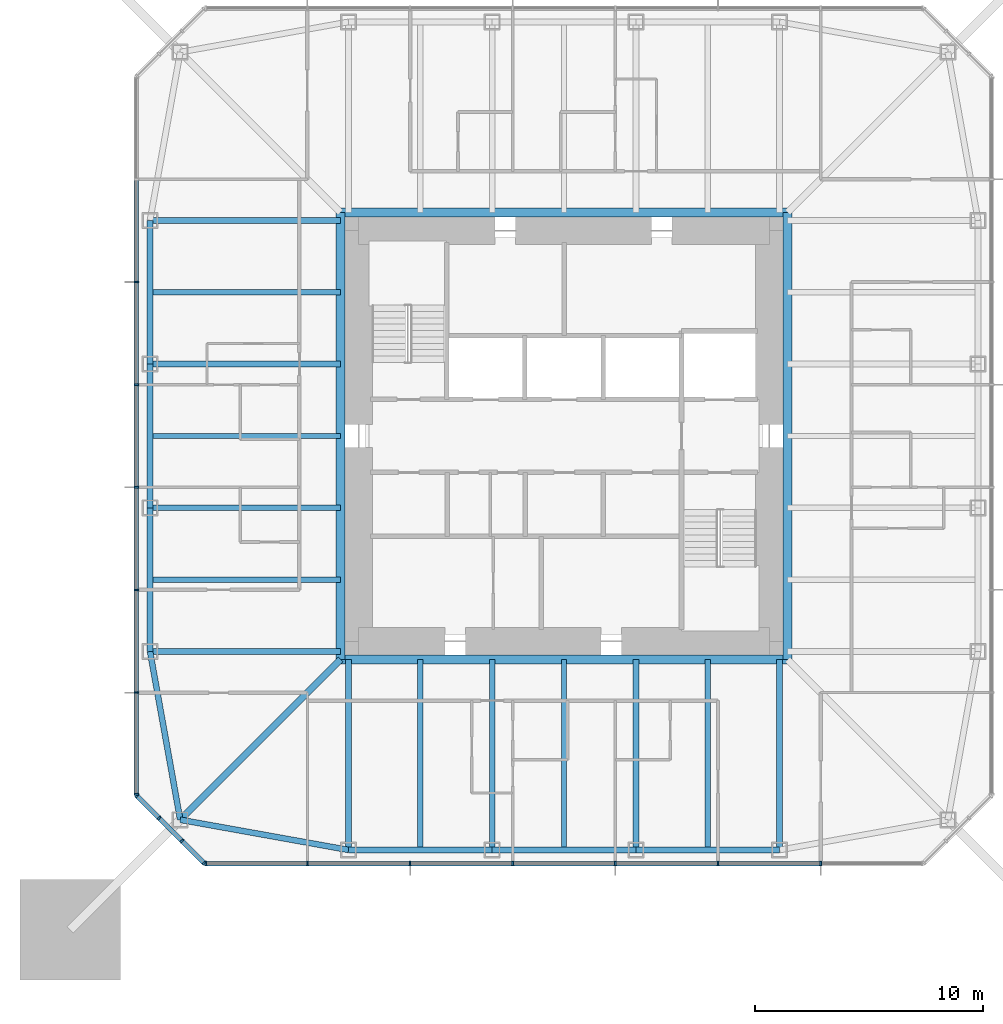
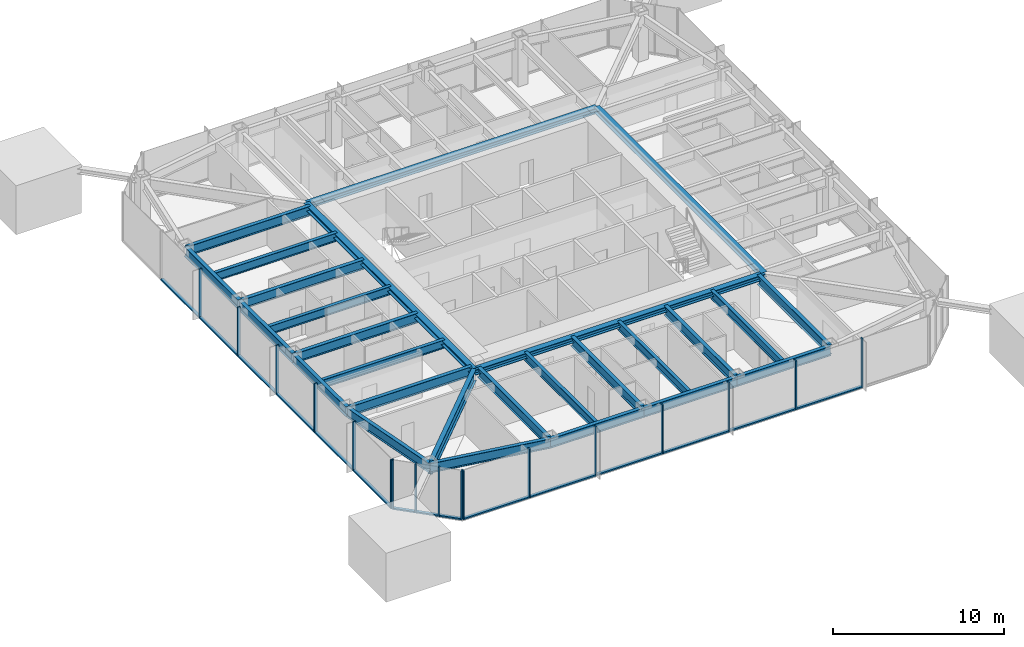
# One storey, part 2 of 11: 32 members, 27 beams, 3 elements without a shape of their own.
"""IFC4 building model written with IfcOpenShell, lengths in metres."""

import ifcopenshell
import ifcopenshell.guid

model = None  # the IFC model being written
_history = None  # IfcOwnerHistory: only IFC2X3 demands one
_inside = {}  # id of a spatial element -> (the spatial element, [elements in it])
_under = {}  # id of a project, library or spatial element -> (it, [spatial elements below it])
_declared = {}  # id of a project -> (the project, [libraries it declares])
_typed = {}  # id of a type object -> (the type object, [elements of that type])
_made_of = {}  # id of a material, layer set ... -> (it, [elements and type objects made of it])


def new_model(schema):
    """Start an empty IFC model of exactly this schema.

    Asked for "IFC4X3", IfcOpenShell would pick the latest addendum, in which some entities
    have other attributes; the version numbers below select the first issue.
    IFC2X3 requires an IfcOwnerHistory on every rooted entity: one is made here for all.
    """
    global model, _history
    if schema == "IFC4X3":
        model = ifcopenshell.file(schema_version=(4, 3, 0, 0))
    else:
        model = ifcopenshell.file(schema=schema)
    _inside.clear()
    _under.clear()
    _declared.clear()
    _typed.clear()
    _made_of.clear()
    _history = None
    if model.schema == "IFC2X3":
        org = make("IfcOrganization", Name="unknown")
        user = make(
            "IfcPersonAndOrganization",
            ThePerson=make("IfcPerson", FamilyName="unknown"),
            TheOrganization=org,
        )
        app = make(
            "IfcApplication",
            ApplicationDeveloper=org,
            Version="unknown",
            ApplicationFullName="unknown",
            ApplicationIdentifier="unknown",
        )
        _history = make(
            "IfcOwnerHistory",
            OwningUser=user,
            OwningApplication=app,
            ChangeAction="ADDED",
            CreationDate=0,
        )
    return model


def make(cls, **values):
    """One entity of the class cls with the attributes given. An attribute that is None is left unset."""
    return model.create_entity(
        cls, **{name: value for name, value in values.items() if value is not None}
    )


def rooted(cls, **values):
    """An entity with a GlobalId (a new one), such as an element, a storey or a relation."""
    return make(cls, GlobalId=ifcopenshell.guid.new(), OwnerHistory=_history, **values)


def si_unit(unit_type, name, prefix=None):
    """IfcSIUnit, for example si_unit("LENGTHUNIT", "METRE", prefix="MILLI")."""
    return make("IfcSIUnit", UnitType=unit_type, Prefix=prefix, Name=name)


def assignment(units):
    """IfcUnitAssignment: the units of a project."""
    return None if units is None else make("IfcUnitAssignment", Units=units)


def point(xyz):
    """IfcCartesianPoint."""
    return None if xyz is None else make("IfcCartesianPoint", Coordinates=xyz)


def direction(xyz):
    """IfcDirection."""
    return None if xyz is None else make("IfcDirection", DirectionRatios=xyz)


def frame(location, z_axis=None, x_axis=None):
    """IfcAxis2Placement3D, a coordinate frame: its origin and axes. An axis left out is left unset."""
    return make(
        "IfcAxis2Placement3D",
        Location=point(location),
        Axis=direction(z_axis),
        RefDirection=direction(x_axis),
    )


def frame_2d(location, x_axis=None):
    """IfcAxis2Placement2D, a coordinate frame in the plane: its origin and x axis."""
    return make(
        "IfcAxis2Placement2D", Location=point(location), RefDirection=direction(x_axis)
    )


def origin():
    """The frame at (0, 0, 0) with its axes left unset."""
    return frame((0.0, 0.0, 0.0))


def origin_2d():
    """The frame at (0, 0) in the plane with its x axis left unset."""
    return frame_2d((0.0, 0.0))


def place(relative_to, where):
    """IfcLocalPlacement: puts the frame where relative to a parent placement (None: the world)."""
    return make(
        "IfcLocalPlacement", PlacementRelTo=relative_to, RelativePlacement=where
    )


def context(
    kind, dimensions, precision=None, world=None, true_north=None, identifier=None
):
    """IfcGeometricRepresentationContext, for example the 3D "Model" context."""
    return make(
        "IfcGeometricRepresentationContext",
        ContextIdentifier=identifier,
        ContextType=kind,
        CoordinateSpaceDimension=dimensions,
        Precision=precision,
        WorldCoordinateSystem=world,
        TrueNorth=true_north,
    )


def subcontext(parent, identifier, kind, view, scale=None):
    """IfcGeometricRepresentationSubContext, for example "Body" below "Model"."""
    return make(
        "IfcGeometricRepresentationSubContext",
        ContextIdentifier=identifier,
        ContextType=kind,
        ParentContext=parent,
        TargetScale=scale,
        TargetView=view,
    )


def project(units=None, contexts=None):
    """IfcProject with its units and contexts."""
    return rooted(
        "IfcProject",
        Name="project",
        RepresentationContexts=contexts,
        UnitsInContext=assignment(units),
    )


def spatial(cls, under=None, at=None, **own):
    """A site, building, storey or space (cls), placed at a placement, below another one or the project."""
    s = rooted(cls, ObjectPlacement=at, **own)
    if under is not None:
        _under.setdefault(under.id(), (under, []))[1].append(s)
    return s


def profile(cls, at=None, kind="AREA", **sizes):
    """A parametric profile (cls). Its sizes go by their IFC names, for example OverallWidth=200.0."""
    return make(cls, ProfileType=kind, Position=at, **sizes)


def rectangle(**sizes):
    """IfcRectangleProfileDef."""
    return profile("IfcRectangleProfileDef", **sizes)


def i_section(**sizes):
    """IfcIShapeProfileDef."""
    return profile("IfcIShapeProfileDef", **sizes)


def extrude(swept, where, along, depth):
    """IfcExtrudedAreaSolid: the profile swept, set in the frame where, extruded along a direction by depth."""
    return make(
        "IfcExtrudedAreaSolid",
        SweptArea=swept,
        Position=where,
        ExtrudedDirection=direction(along),
        Depth=depth,
    )


def shape(context_of_items, identifier, shape_type, items):
    """IfcShapeRepresentation: the items that make up one representation, for example the "Body"."""
    return make(
        "IfcShapeRepresentation",
        ContextOfItems=context_of_items,
        RepresentationIdentifier=identifier,
        RepresentationType=shape_type,
        Items=items,
    )


def material(Name=None, Category=None):
    """IfcMaterial."""
    return make("IfcMaterial", Name=Name, Category=Category)


def material_profile(
    of_material, cross_section, Name=None, Category=None, Priority=None
):
    """IfcMaterialProfile: a cross section and its material."""
    return make(
        "IfcMaterialProfile",
        Name=Name,
        Material=of_material,
        Profile=cross_section,
        Priority=Priority,
        Category=Category,
    )


def profile_set(profiles, Name=None, composite=None):
    """IfcMaterialProfileSet."""
    return make(
        "IfcMaterialProfileSet",
        Name=Name,
        MaterialProfiles=profiles,
        CompositeProfile=composite,
    )


def made_of(thing, what):
    """Note that an element or type object is made of a material, layer set ...; save() writes the relation."""
    if what is not None:
        _made_of.setdefault(what.id(), (what, []))[1].append(thing)
    return thing


def type_object(cls, material=None, **own):
    """A type object (cls), such as IfcWallType, which elements share."""
    return made_of(rooted(cls, **own), material)


def element(
    cls,
    number,
    at=None,
    inside=None,
    cuts=None,
    type_object=None,
    material=None,
    context=None,
    identifier="Body",
    shape_type=None,
    held_by="IfcProductDefinitionShape",
    body=None,
    shapes=None,
    **own,
):
    """One element of the class cls, such as IfcWall. Its Tag is "e" and its number.

    at: its placement. inside: the storey or other place that contains it. cuts: it is an
    opening in that element (IfcRelVoidsElement). A single representation is given by context,
    identifier, shape_type and body (its items); several are given by shapes. held_by: the class
    of the entity that holds the representations. save() writes the other relations.
    """
    e = rooted(cls, Tag="e%d" % number, ObjectPlacement=at, **own)
    if body is not None:
        shapes = [shape(context, identifier, shape_type, body)]
    if shapes is not None:
        e.Representation = make(held_by, Representations=shapes)
    if inside is not None:
        _inside.setdefault(inside.id(), (inside, []))[1].append(e)
    if cuts is not None:
        rooted(
            "IfcRelVoidsElement", RelatingBuildingElement=cuts, RelatedOpeningElement=e
        )
    if type_object is not None:
        _typed.setdefault(type_object.id(), (type_object, []))[1].append(e)
    return made_of(e, material)


def aggregate(whole, parts):
    """IfcRelAggregates: a whole, such as a stair, and the parts it consists of."""
    return rooted("IfcRelAggregates", RelatingObject=whole, RelatedObjects=parts)


def save(model, path):
    """Write the relations noted so far, then the file.

    IfcRelAggregates (storeys below a building ...), IfcRelContainedInSpatialStructure (elements
    in a storey), IfcRelDefinesByType, IfcRelAssociatesMaterial and IfcRelDeclares: one each for
    every whole, place, type object, material and project.
    """
    for whole, parts in _under.values():
        aggregate(whole, parts)
    for where, things in _inside.values():
        rooted(
            "IfcRelContainedInSpatialStructure",
            RelatedElements=things,
            RelatingStructure=where,
        )
    for kind, things in _typed.values():
        rooted("IfcRelDefinesByType", RelatedObjects=things, RelatingType=kind)
    for what, things in _made_of.values():
        rooted("IfcRelAssociatesMaterial", RelatedObjects=things, RelatingMaterial=what)
    for by, libraries in _declared.values():
        rooted("IfcRelDeclares", RelatingContext=by, RelatedDefinitions=libraries)
    model.write(path)


model = new_model("IFC4")

# Units and contexts
model_context = context("Model", 3, precision=1e-05, world=origin(), true_north=direction((0.0, 1.0)))
body_context = subcontext(model_context, "Body", "Model", "MODEL_VIEW")
ifc_project = project(units=[si_unit("LENGTHUNIT", "METRE"), si_unit("AREAUNIT", "SQUARE_METRE"), si_unit("VOLUMEUNIT", "CUBIC_METRE"), si_unit("PLANEANGLEUNIT", "RADIAN"), si_unit("MASSUNIT", "GRAM", prefix="KILO")], contexts=[model_context])

# Site, building, storey
site_placement = place(None, origin())
site = spatial("IfcSite", under=ifc_project, at=site_placement, CompositionType="ELEMENT")
building_placement = place(site_placement, origin())
building = spatial("IfcBuilding", under=site, at=building_placement, Name="Iwan Alto Co-Living Towers", CompositionType="ELEMENT")
storey_placement = place(building_placement, frame((0.0, 0.0, 163.5)))
storey = spatial("IfcBuildingStorey", under=building, at=storey_placement, Name="L44", CompositionType="ELEMENT", Elevation=163.5)

# Curtain wall, members
ifc_material_1 = material(Name="Bronze aluminium unitised frame", Category="aluminium")
curtain_wall_type_1 = type_object("IfcCurtainWallType", Name="CURTAIN WALL CW-A", PredefinedType="NOTDEFINED", material=ifc_material_1)
curtain_wall_1_placement = place(storey_placement, origin())
curtain_wall_1 = element("IfcCurtainWall", 1, at=curtain_wall_1_placement, inside=storey, type_object=curtain_wall_type_1, Name="T1 curtain wall S L44", PredefinedType="NOTDEFINED")
ifc_material_2 = material(Name="Aluminium 6063-T6 bronze anodised", Category="aluminium")
ifc_material_profile_1 = material_profile(ifc_material_2, rectangle(XDim=0.199951171875, YDim=0.080078125, at=origin_2d()), Name="AL 80X200")
ifc_profile_set_1 = profile_set([ifc_material_profile_1], Name="Aluminium 6063-T6 bronze anodised")
member_type_1 = type_object("IfcMemberType", Name="CW-A MULLION 80X200", PredefinedType="MULLION", material=ifc_profile_set_1)
member_1_placement = place(storey_placement, frame((-15.7099609375, -18.75, 0.0), z_axis=(0.0, 0.0, 1.0), x_axis=(0.0, 1.0, 0.0)))
member_1 = element("IfcMember", 2, at=member_1_placement, type_object=member_type_1, Name="CW-A mullion 1", PredefinedType="MULLION", context=body_context, shape_type="SweptSolid", body=[
    extrude(rectangle(XDim=0.199951171875, YDim=0.080078125, at=origin_2d()), origin(), (0.0, 0.0, 1.0), 3.5),
])
member_2_placement = place(storey_placement, frame((-11.25, -18.75, 0.0), z_axis=(0.0, 0.0, 1.0), x_axis=(0.0, 1.0, 0.0)))
member_2 = element("IfcMember", 3, at=member_2_placement, type_object=member_type_1, Name="CW-A mullion 2", PredefinedType="MULLION", context=body_context, shape_type="SweptSolid", body=[
    extrude(rectangle(XDim=0.199951171875, YDim=0.080078125, at=origin_2d()), origin(), (0.0, 0.0, 1.0), 3.5),
])
member_3_placement = place(storey_placement, frame((-6.75, -18.75, 0.0), z_axis=(0.0, 0.0, 1.0), x_axis=(0.0, 1.0, 0.0)))
member_3 = element("IfcMember", 4, at=member_3_placement, type_object=member_type_1, Name="CW-A mullion 3", PredefinedType="MULLION", context=body_context, shape_type="SweptSolid", body=[
    extrude(rectangle(XDim=0.199951171875, YDim=0.080078125, at=origin_2d()), origin(), (0.0, 0.0, 1.0), 3.5),
])
member_4_placement = place(storey_placement, frame((-2.25, -18.75, 0.0), z_axis=(0.0, 0.0, 1.0), x_axis=(0.0, 1.0, 0.0)))
member_4 = element("IfcMember", 5, at=member_4_placement, type_object=member_type_1, Name="CW-A mullion 4", PredefinedType="MULLION", context=body_context, shape_type="SweptSolid", body=[
    extrude(rectangle(XDim=0.199951171875, YDim=0.080078125, at=origin_2d()), origin(), (0.0, 0.0, 1.0), 3.5),
])
member_5_placement = place(storey_placement, frame((2.25, -18.75, 0.0), z_axis=(0.0, 0.0, 1.0), x_axis=(0.0, 1.0, 0.0)))
member_5 = element("IfcMember", 6, at=member_5_placement, type_object=member_type_1, Name="CW-A mullion 5", PredefinedType="MULLION", context=body_context, shape_type="SweptSolid", body=[
    extrude(rectangle(XDim=0.199951171875, YDim=0.080078125, at=origin_2d()), origin(), (0.0, 0.0, 1.0), 3.5),
])
member_6_placement = place(storey_placement, frame((6.75, -18.75, 0.0), z_axis=(0.0, 0.0, 1.0), x_axis=(0.0, 1.0, 0.0)))
member_6 = element("IfcMember", 7, at=member_6_placement, type_object=member_type_1, Name="CW-A mullion 6", PredefinedType="MULLION", context=body_context, shape_type="SweptSolid", body=[
    extrude(rectangle(XDim=0.199951171875, YDim=0.080078125, at=origin_2d()), origin(), (0.0, 0.0, 1.0), 3.5),
])
member_7_placement = place(storey_placement, frame((11.25, -18.75, 0.0), z_axis=(0.0, 0.0, 1.0), x_axis=(0.0, 1.0, 0.0)))
member_7 = element("IfcMember", 8, at=member_7_placement, type_object=member_type_1, Name="CW-A mullion 7", PredefinedType="MULLION", context=body_context, shape_type="SweptSolid", body=[
    extrude(rectangle(XDim=0.199951171875, YDim=0.080078125, at=origin_2d()), origin(), (0.0, 0.0, 1.0), 3.5),
])

curtain_wall_2_placement = place(storey_placement, origin())
curtain_wall_2 = element("IfcCurtainWall", 9, at=curtain_wall_2_placement, inside=storey, type_object=curtain_wall_type_1, Name="T1 curtain wall W L44", PredefinedType="NOTDEFINED")
member_8_placement = place(storey_placement, frame((-18.75, 6.75, 0.0), z_axis=(0.0, 0.0, 1.0), x_axis=(1.0, 0.0, 0.0)))
member_8 = element("IfcMember", 10, at=member_8_placement, type_object=member_type_1, Name="CW-A mullion 3", PredefinedType="MULLION", context=body_context, shape_type="SweptSolid", body=[
    extrude(rectangle(XDim=0.199951171875, YDim=0.080078125, at=origin_2d()), origin(), (0.0, 0.0, 1.0), 3.5),
])
member_9_placement = place(storey_placement, frame((-18.75, 2.25, 0.0), z_axis=(0.0, 0.0, 1.0), x_axis=(1.0, 0.0, 0.0)))
member_9 = element("IfcMember", 11, at=member_9_placement, type_object=member_type_1, Name="CW-A mullion 4", PredefinedType="MULLION", context=body_context, shape_type="SweptSolid", body=[
    extrude(rectangle(XDim=0.199951171875, YDim=0.080078125, at=origin_2d()), origin(), (0.0, 0.0, 1.0), 3.5),
])
member_10_placement = place(storey_placement, frame((-18.75, -2.25, 0.0), z_axis=(0.0, 0.0, 1.0), x_axis=(1.0, 0.0, 0.0)))
member_10 = element("IfcMember", 12, at=member_10_placement, type_object=member_type_1, Name="CW-A mullion 5", PredefinedType="MULLION", context=body_context, shape_type="SweptSolid", body=[
    extrude(rectangle(XDim=0.199951171875, YDim=0.080078125, at=origin_2d()), origin(), (0.0, 0.0, 1.0), 3.5),
])
member_11_placement = place(storey_placement, frame((-18.75, -6.75, 0.0), z_axis=(0.0, 0.0, 1.0), x_axis=(1.0, 0.0, 0.0)))
member_11 = element("IfcMember", 13, at=member_11_placement, type_object=member_type_1, Name="CW-A mullion 6", PredefinedType="MULLION", context=body_context, shape_type="SweptSolid", body=[
    extrude(rectangle(XDim=0.199951171875, YDim=0.080078125, at=origin_2d()), origin(), (0.0, 0.0, 1.0), 3.5),
])
member_12_placement = place(storey_placement, frame((-18.75, -11.25, 0.0), z_axis=(0.0, 0.0, 1.0), x_axis=(1.0, 0.0, 0.0)))
member_12 = element("IfcMember", 14, at=member_12_placement, type_object=member_type_1, Name="CW-A mullion 7", PredefinedType="MULLION", context=body_context, shape_type="SweptSolid", body=[
    extrude(rectangle(XDim=0.199951171875, YDim=0.080078125, at=origin_2d()), origin(), (0.0, 0.0, 1.0), 3.5),
])
member_13_placement = place(storey_placement, frame((-18.75, -15.7099609375, 0.0), z_axis=(0.0, 0.0, 1.0), x_axis=(1.0, 0.0, 0.0)))
member_13 = element("IfcMember", 15, at=member_13_placement, type_object=member_type_1, Name="CW-A mullion 8", PredefinedType="MULLION", context=body_context, shape_type="SweptSolid", body=[
    extrude(rectangle(XDim=0.199951171875, YDim=0.080078125, at=origin_2d()), origin(), (0.0, 0.0, 1.0), 3.5),
])

# Member
ifc_material_3 = material(Name="Aluminium 6063-T6 bronze anodised", Category="aluminium")
ifc_material_profile_2 = material_profile(ifc_material_3, rectangle(XDim=0.199951171875, YDim=0.10009765625, at=origin_2d()), Name="AL 200X100")
ifc_profile_set_2 = profile_set([ifc_material_profile_2], Name="Aluminium 6063-T6 bronze anodised")
member_type_2 = type_object("IfcMemberType", Name="CW-A TRANSOM 200X100", PredefinedType="USERDEFINED", material=ifc_profile_set_2)
member_14_placement = place(storey_placement, frame((-15.669921875, -18.75, 0.050048828125), z_axis=(1.0, 0.0, 0.0), x_axis=(0.0, 1.0, 0.0)))
member_14 = element("IfcMember", 16, at=member_14_placement, type_object=member_type_2, Name="CW-A transom 1.1", ObjectType="TRANSOM", PredefinedType="USERDEFINED", context=body_context, shape_type="SweptSolid", body=[
    extrude(rectangle(XDim=0.199951171875, YDim=0.10009765625, at=origin_2d()), origin(), (0.0, 0.0, 1.0), 4.3798828125),
])

member_15_placement = place(storey_placement, frame((-11.2099609375, -18.75, 0.050048828125), z_axis=(1.0, 0.0, 0.0), x_axis=(0.0, 1.0, 0.0)))
member_15 = element("IfcMember", 17, at=member_15_placement, type_object=member_type_2, Name="CW-A transom 2.1", ObjectType="TRANSOM", PredefinedType="USERDEFINED", context=body_context, shape_type="SweptSolid", body=[
    extrude(rectangle(XDim=0.199951171875, YDim=0.10009765625, at=origin_2d()), origin(), (0.0, 0.0, 1.0), 4.419921875),
])

member_16_placement = place(storey_placement, frame((-6.7099609375, -18.75, 0.050048828125), z_axis=(1.0, 0.0, 0.0), x_axis=(0.0, 1.0, 0.0)))
member_16 = element("IfcMember", 18, at=member_16_placement, type_object=member_type_2, Name="CW-A transom 3.1", ObjectType="TRANSOM", PredefinedType="USERDEFINED", context=body_context, shape_type="SweptSolid", body=[
    extrude(rectangle(XDim=0.199951171875, YDim=0.10009765625, at=origin_2d()), origin(), (0.0, 0.0, 1.0), 4.419921875),
])

member_17_placement = place(storey_placement, frame((-2.2099609375, -18.75, 0.050048828125), z_axis=(1.0, 0.0, 0.0), x_axis=(0.0, 1.0, 0.0)))
member_17 = element("IfcMember", 19, at=member_17_placement, type_object=member_type_2, Name="CW-A transom 4.1", ObjectType="TRANSOM", PredefinedType="USERDEFINED", context=body_context, shape_type="SweptSolid", body=[
    extrude(rectangle(XDim=0.199951171875, YDim=0.10009765625, at=origin_2d()), origin(), (0.0, 0.0, 1.0), 4.419921875),
])

member_18_placement = place(storey_placement, frame((2.2900390625, -18.75, 0.050048828125), z_axis=(1.0, 0.0, 0.0), x_axis=(0.0, 1.0, 0.0)))
member_18 = element("IfcMember", 20, at=member_18_placement, type_object=member_type_2, Name="CW-A transom 5.1", ObjectType="TRANSOM", PredefinedType="USERDEFINED", context=body_context, shape_type="SweptSolid", body=[
    extrude(rectangle(XDim=0.199951171875, YDim=0.10009765625, at=origin_2d()), origin(), (0.0, 0.0, 1.0), 4.419921875),
])

member_19_placement = place(storey_placement, frame((6.7900390625, -18.75, 0.050048828125), z_axis=(1.0, 0.0, 0.0), x_axis=(0.0, 1.0, 0.0)))
member_19 = element("IfcMember", 21, at=member_19_placement, type_object=member_type_2, Name="CW-A transom 6.1", ObjectType="TRANSOM", PredefinedType="USERDEFINED", context=body_context, shape_type="SweptSolid", body=[
    extrude(rectangle(XDim=0.199951171875, YDim=0.10009765625, at=origin_2d()), origin(), (0.0, 0.0, 1.0), 4.419921875),
])

aggregate(curtain_wall_1, [member_1, member_2, member_3, member_4, member_5, member_6, member_7, member_14, member_15, member_16, member_17, member_18, member_19])

member_20_placement = place(storey_placement, frame((-18.75, 11.2099609375, 0.050048828125), z_axis=(0.0, -1.0, 0.0), x_axis=(1.0, 0.0, 0.0)))
member_20 = element("IfcMember", 22, at=member_20_placement, type_object=member_type_2, Name="CW-A transom 2.1", ObjectType="TRANSOM", PredefinedType="USERDEFINED", context=body_context, shape_type="SweptSolid", body=[
    extrude(rectangle(XDim=0.199951171875, YDim=0.10009765625, at=origin_2d()), origin(), (0.0, 0.0, 1.0), 4.419921875),
])

member_21_placement = place(storey_placement, frame((-18.75, 6.7099609375, 0.050048828125), z_axis=(0.0, -1.0, 0.0), x_axis=(1.0, 0.0, 0.0)))
member_21 = element("IfcMember", 23, at=member_21_placement, type_object=member_type_2, Name="CW-A transom 3.1", ObjectType="TRANSOM", PredefinedType="USERDEFINED", context=body_context, shape_type="SweptSolid", body=[
    extrude(rectangle(XDim=0.199951171875, YDim=0.10009765625, at=origin_2d()), origin(), (0.0, 0.0, 1.0), 4.419921875),
])

member_22_placement = place(storey_placement, frame((-18.75, 2.2099609375, 0.050048828125), z_axis=(0.0, -1.0, 0.0), x_axis=(1.0, 0.0, 0.0)))
member_22 = element("IfcMember", 24, at=member_22_placement, type_object=member_type_2, Name="CW-A transom 4.1", ObjectType="TRANSOM", PredefinedType="USERDEFINED", context=body_context, shape_type="SweptSolid", body=[
    extrude(rectangle(XDim=0.199951171875, YDim=0.10009765625, at=origin_2d()), origin(), (0.0, 0.0, 1.0), 4.419921875),
])

member_23_placement = place(storey_placement, frame((-18.75, -2.2900390625, 0.050048828125), z_axis=(0.0, -1.0, 0.0), x_axis=(1.0, 0.0, 0.0)))
member_23 = element("IfcMember", 25, at=member_23_placement, type_object=member_type_2, Name="CW-A transom 5.1", ObjectType="TRANSOM", PredefinedType="USERDEFINED", context=body_context, shape_type="SweptSolid", body=[
    extrude(rectangle(XDim=0.199951171875, YDim=0.10009765625, at=origin_2d()), origin(), (0.0, 0.0, 1.0), 4.419921875),
])

member_24_placement = place(storey_placement, frame((-18.75, -6.7900390625, 0.050048828125), z_axis=(0.0, -1.0, 0.0), x_axis=(1.0, 0.0, 0.0)))
member_24 = element("IfcMember", 26, at=member_24_placement, type_object=member_type_2, Name="CW-A transom 6.1", ObjectType="TRANSOM", PredefinedType="USERDEFINED", context=body_context, shape_type="SweptSolid", body=[
    extrude(rectangle(XDim=0.199951171875, YDim=0.10009765625, at=origin_2d()), origin(), (0.0, 0.0, 1.0), 4.419921875),
])

member_25_placement = place(storey_placement, frame((-18.75, -11.2900390625, 0.050048828125), z_axis=(0.0, -1.0, 0.0), x_axis=(1.0, 0.0, 0.0)))
member_25 = element("IfcMember", 27, at=member_25_placement, type_object=member_type_2, Name="CW-A transom 7.1", ObjectType="TRANSOM", PredefinedType="USERDEFINED", context=body_context, shape_type="SweptSolid", body=[
    extrude(rectangle(XDim=0.199951171875, YDim=0.10009765625, at=origin_2d()), origin(), (0.0, 0.0, 1.0), 4.3798828125),
])

aggregate(curtain_wall_2, [member_8, member_9, member_10, member_11, member_12, member_13, member_20, member_21, member_22, member_23, member_24, member_25])

# Curtain wall, members
ifc_material_4 = material(Name="Bronze aluminium unitised frame", Category="aluminium")
curtain_wall_type_2 = type_object("IfcCurtainWallType", Name="CURTAIN WALL CW-B", PredefinedType="NOTDEFINED", material=ifc_material_4)
curtain_wall_3_placement = place(storey_placement, origin())
curtain_wall_3 = element("IfcCurtainWall", 28, at=curtain_wall_3_placement, inside=storey, type_object=curtain_wall_type_2, Name="T1 chamfer curtain wall SW L44", PredefinedType="NOTDEFINED")
ifc_material_5 = material(Name="Aluminium 6063-T6 bronze anodised", Category="aluminium")
ifc_material_profile_3 = material_profile(ifc_material_5, rectangle(XDim=0.199951171875, YDim=0.080078125, at=origin_2d()), Name="AL 80X200")
ifc_profile_set_3 = profile_set([ifc_material_profile_3], Name="Aluminium 6063-T6 bronze anodised")
member_type_3 = type_object("IfcMemberType", Name="CW-B MULLION 80X200", PredefinedType="MULLION", material=ifc_profile_set_3)
member_26_placement = place(storey_placement, frame((-18.7216796875, -15.7783203125, 0.0), z_axis=(0.0, 0.0, 1.0), x_axis=(0.707106781187, 0.707106781187, 0.0)))
member_26 = element("IfcMember", 29, at=member_26_placement, type_object=member_type_3, Name="CW-B mullion 1", PredefinedType="MULLION", context=body_context, shape_type="SweptSolid", body=[
    extrude(rectangle(XDim=0.199951171875, YDim=0.080078125, at=origin_2d()), origin(), (0.0, 0.0, 1.0), 3.5),
])
member_27_placement = place(storey_placement, frame((-17.75, -16.75, 0.0), z_axis=(0.0, 0.0, 1.0), x_axis=(0.707106781187, 0.707106781187, 0.0)))
member_27 = element("IfcMember", 30, at=member_27_placement, type_object=member_type_3, Name="CW-B mullion 2", PredefinedType="MULLION", context=body_context, shape_type="SweptSolid", body=[
    extrude(rectangle(XDim=0.199951171875, YDim=0.080078125, at=origin_2d()), origin(), (0.0, 0.0, 1.0), 3.5),
])
member_28_placement = place(storey_placement, frame((-16.75, -17.75, 0.0), z_axis=(0.0, 0.0, 1.0), x_axis=(0.707106781187, 0.707106781187, 0.0)))
member_28 = element("IfcMember", 31, at=member_28_placement, type_object=member_type_3, Name="CW-B mullion 3", PredefinedType="MULLION", context=body_context, shape_type="SweptSolid", body=[
    extrude(rectangle(XDim=0.199951171875, YDim=0.080078125, at=origin_2d()), origin(), (0.0, 0.0, 1.0), 3.5),
])
member_29_placement = place(storey_placement, frame((-15.7783203125, -18.7216796875, 0.0), z_axis=(0.0, 0.0, 1.0), x_axis=(0.707106781187, 0.707106781187, 0.0)))
member_29 = element("IfcMember", 32, at=member_29_placement, type_object=member_type_3, Name="CW-B mullion 4", PredefinedType="MULLION", context=body_context, shape_type="SweptSolid", body=[
    extrude(rectangle(XDim=0.199951171875, YDim=0.080078125, at=origin_2d()), origin(), (0.0, 0.0, 1.0), 3.5),
])
ifc_material_6 = material(Name="Aluminium 6063-T6 bronze anodised", Category="aluminium")
ifc_material_profile_4 = material_profile(ifc_material_6, rectangle(XDim=0.199951171875, YDim=0.10009765625, at=origin_2d()), Name="AL 200X100")
ifc_profile_set_4 = profile_set([ifc_material_profile_4], Name="Aluminium 6063-T6 bronze anodised")
member_type_4 = type_object("IfcMemberType", Name="CW-B TRANSOM 200X100", PredefinedType="USERDEFINED", material=ifc_profile_set_4)
member_30_placement = place(storey_placement, frame((-18.693359375, -15.806640625, 0.050048828125), z_axis=(0.707106781187, -0.707106781187, 0.0), x_axis=(0.707106781187, 0.707106781187, 0.0)))
member_30 = element("IfcMember", 33, at=member_30_placement, type_object=member_type_4, Name="CW-B transom 1.1", ObjectType="TRANSOM", PredefinedType="USERDEFINED", context=body_context, shape_type="SweptSolid", body=[
    extrude(rectangle(XDim=0.199951171875, YDim=0.10009765625, at=origin_2d()), origin(), (0.0, 0.0, 1.0), 1.2939453125),
])
member_31_placement = place(storey_placement, frame((-17.7216796875, -16.7783203125, 0.050048828125), z_axis=(0.707106781187, -0.707106781187, 0.0), x_axis=(0.707106781187, 0.707106781187, 0.0)))
member_31 = element("IfcMember", 34, at=member_31_placement, type_object=member_type_4, Name="CW-B transom 2.1", ObjectType="TRANSOM", PredefinedType="USERDEFINED", context=body_context, shape_type="SweptSolid", body=[
    extrude(rectangle(XDim=0.199951171875, YDim=0.10009765625, at=origin_2d()), origin(), (0.0, 0.0, 1.0), 1.334228515625),
])
member_32_placement = place(storey_placement, frame((-16.7216796875, -17.7783203125, 0.050048828125), z_axis=(0.707106781187, -0.707106781187, 0.0), x_axis=(0.707106781187, 0.707106781187, 0.0)))
member_32 = element("IfcMember", 35, at=member_32_placement, type_object=member_type_4, Name="CW-B transom 3.1", ObjectType="TRANSOM", PredefinedType="USERDEFINED", context=body_context, shape_type="SweptSolid", body=[
    extrude(rectangle(XDim=0.199951171875, YDim=0.10009765625, at=origin_2d()), origin(), (0.0, 0.0, 1.0), 1.2939453125),
])
aggregate(curtain_wall_3, [member_26, member_27, member_28, member_29, member_30, member_31, member_32])

# Beams
ifc_material_7 = material(Name="Steel ASTM A992 Gr 50", Category="steel")
ifc_material_profile_5 = material_profile(ifc_material_7, i_section(OverallWidth=0.398681640625, OverallDepth=0.385986328125, WebThickness=0.02099609375, FlangeThickness=0.033203125, at=origin_2d()), Name="W14X176")
ifc_profile_set_5 = profile_set([ifc_material_profile_5], Name="Steel ASTM A992 Gr 50")
beam_type_1 = type_object("IfcBeamType", Name="T1 CORE LEDGER BEAM W14X176", PredefinedType="BEAM", material=ifc_profile_set_5)
for number, where, z_axis, x_axis, name in (
    (36, (-9.79931640625, -9.79931640625, 3.076904296875), (1.0, 0.0, 0.0), (0.0, 1.0, 0.0), "T1 core ledger beam S L45"),
    (37, (9.79931640625, -9.79931640625, 3.076904296875), (0.0, 1.0, 0.0), (-1.0, 0.0, 0.0), "T1 core ledger beam E L45"),
    (38, (9.79931640625, 9.79931640625, 3.076904296875), (-1.0, 0.0, 0.0), (0.0, -1.0, 0.0), "T1 core ledger beam N L45"),
    (39, (-9.79931640625, 9.79931640625, 3.076904296875), (0.0, -1.0, 0.0), (1.0, 0.0, 0.0), "T1 core ledger beam W L45"),
):
    element("IfcBeam", number, at=place(storey_placement, frame(where, z_axis=z_axis, x_axis=x_axis)), inside=storey, type_object=beam_type_1, Name=name, PredefinedType="BEAM", context=body_context, shape_type="SweptSolid", body=[
        extrude(i_section(OverallWidth=0.398681640625, OverallDepth=0.385986328125, WebThickness=0.02099609375, FlangeThickness=0.033203125, at=origin_2d()), origin(), (0.0, 0.0, 1.0), 19.5986328125),
    ])
ifc_material_8 = material(Name="Steel ASTM A992 Gr 50", Category="steel")
ifc_material_profile_6 = material_profile(ifc_material_8, i_section(OverallWidth=0.2919921875, OverallDepth=0.8408203125, WebThickness=0.0146484375, FlangeThickness=0.021728515625, at=origin_2d()), Name="W33X130")
ifc_profile_set_6 = profile_set([ifc_material_profile_6], Name="Steel ASTM A992 Gr 50")
beam_type_2 = type_object("IfcBeamType", Name="T1 CORNER GIRDER W33X130", PredefinedType="BEAM", material=ifc_profile_set_6)
beam_1_placement = place(storey_placement, frame((-16.82568359375, -16.82568359375, 2.849609375), z_axis=(0.707106781187, 0.707106781187, 0.0), x_axis=(-0.707106781187, 0.707106781187, 0.0)))
element("IfcBeam", 40, at=beam_1_placement, inside=storey, type_object=beam_type_2, Name="T1 corner girder CSW L45", PredefinedType="BEAM", context=body_context, shape_type="SweptSolid", body=[
    extrude(i_section(OverallWidth=0.2919921875, OverallDepth=0.8408203125, WebThickness=0.0146484375, FlangeThickness=0.021728515625, at=origin_2d()), origin(), (0.0, 0.0, 1.0), 9.936767578125),
])
ifc_material_9 = material(Name="Steel ASTM A992 Gr 50", Category="steel")
ifc_material_profile_7 = material_profile(ifc_material_9, i_section(OverallWidth=0.25390625, OverallDepth=0.683349609375, WebThickness=0.012451171875, FlangeThickness=0.018798828125, at=origin_2d()), Name="W27X94")
ifc_profile_set_7 = profile_set([ifc_material_profile_7], Name="Steel ASTM A992 Gr 50")
beam_type_3 = type_object("IfcBeamType", Name="T1 EDGE BEAM W27X94", PredefinedType="BEAM", material=ifc_profile_set_7)
beam_2_placement = place(storey_placement, frame((-16.82568359375, -16.82568359375, 2.928466796875), z_axis=(0.98426263553, -0.17671181143, 0.0), x_axis=(0.17671181143, 0.98426263553, 0.0)))
element("IfcBeam", 41, at=beam_2_placement, inside=storey, type_object=beam_type_3, Name="T1 edge beam CSW L45", PredefinedType="BEAM", context=body_context, shape_type="SweptSolid", body=[
    extrude(i_section(OverallWidth=0.25390625, OverallDepth=0.683349609375, WebThickness=0.012451171875, FlangeThickness=0.018798828125, at=origin_2d()), origin(), (0.0, 0.0, 1.0), 7.49365234375),
])
beam_3_placement = place(storey_placement, frame((-9.449951171875, -18.14990234375, 2.928466796875), z_axis=(1.0, 0.0, 0.0), x_axis=(0.0, 1.0, 0.0)))
element("IfcBeam", 42, at=beam_3_placement, inside=storey, type_object=beam_type_3, Name="T1 edge beam S1 L45", PredefinedType="BEAM", context=body_context, shape_type="SweptSolid", body=[
    extrude(i_section(OverallWidth=0.25390625, OverallDepth=0.683349609375, WebThickness=0.012451171875, FlangeThickness=0.018798828125, at=origin_2d()), origin(), (0.0, 0.0, 1.0), 6.300048828125),
])
beam_4_placement = place(storey_placement, frame((-3.14990234375, -18.14990234375, 2.928466796875), z_axis=(1.0, 0.0, 0.0), x_axis=(0.0, 1.0, 0.0)))
element("IfcBeam", 43, at=beam_4_placement, inside=storey, type_object=beam_type_3, Name="T1 edge beam S2 L45", PredefinedType="BEAM", context=body_context, shape_type="SweptSolid", body=[
    extrude(i_section(OverallWidth=0.25390625, OverallDepth=0.683349609375, WebThickness=0.012451171875, FlangeThickness=0.018798828125, at=origin_2d()), origin(), (0.0, 0.0, 1.0), 6.2998046875),
])
for number, where, z_axis, x_axis, name in (
    (44, (3.14990234375, -18.14990234375, 2.928466796875), (1.0, 0.0, 0.0), (0.0, 1.0, 0.0), "T1 edge beam S3 L45"),
    (45, (-18.14990234375, 9.449951171875, 2.928466796875), (0.0, -1.0, 0.0), (1.0, 0.0, 0.0), "T1 edge beam W1 L45"),
):
    element("IfcBeam", number, at=place(storey_placement, frame(where, z_axis=z_axis, x_axis=x_axis)), inside=storey, type_object=beam_type_3, Name=name, PredefinedType="BEAM", context=body_context, shape_type="SweptSolid", body=[
        extrude(i_section(OverallWidth=0.25390625, OverallDepth=0.683349609375, WebThickness=0.012451171875, FlangeThickness=0.018798828125, at=origin_2d()), origin(), (0.0, 0.0, 1.0), 6.300048828125),
    ])
beam_5_placement = place(storey_placement, frame((-18.14990234375, 3.14990234375, 2.928466796875), z_axis=(0.0, -1.0, 0.0), x_axis=(1.0, 0.0, 0.0)))
element("IfcBeam", 46, at=beam_5_placement, inside=storey, type_object=beam_type_3, Name="T1 edge beam W2 L45", PredefinedType="BEAM", context=body_context, shape_type="SweptSolid", body=[
    extrude(i_section(OverallWidth=0.25390625, OverallDepth=0.683349609375, WebThickness=0.012451171875, FlangeThickness=0.018798828125, at=origin_2d()), origin(), (0.0, 0.0, 1.0), 6.2998046875),
])
beam_6_placement = place(storey_placement, frame((-18.14990234375, -3.14990234375, 2.928466796875), z_axis=(0.0, -1.0, 0.0), x_axis=(1.0, 0.0, 0.0)))
element("IfcBeam", 47, at=beam_6_placement, inside=storey, type_object=beam_type_3, Name="T1 edge beam W3 L45", PredefinedType="BEAM", context=body_context, shape_type="SweptSolid", body=[
    extrude(i_section(OverallWidth=0.25390625, OverallDepth=0.683349609375, WebThickness=0.012451171875, FlangeThickness=0.018798828125, at=origin_2d()), origin(), (0.0, 0.0, 1.0), 6.300048828125),
])
beam_7_placement = place(storey_placement, frame((-18.14990234375, -9.449951171875, 2.928466796875), z_axis=(0.17671181143, -0.98426263553, 0.0), x_axis=(0.98426263553, 0.17671181143, 0.0)))
element("IfcBeam", 48, at=beam_7_placement, inside=storey, type_object=beam_type_3, Name="T1 edge beam W4 L45", PredefinedType="BEAM", context=body_context, shape_type="SweptSolid", body=[
    extrude(i_section(OverallWidth=0.25390625, OverallDepth=0.683349609375, WebThickness=0.012451171875, FlangeThickness=0.018798828125, at=origin_2d()), origin(), (0.0, 0.0, 1.0), 7.49365234375),
])
ifc_material_10 = material(Name="Steel ASTM A992 Gr 50", Category="steel")
ifc_material_profile_8 = material_profile(ifc_material_10, i_section(OverallWidth=0.25390625, OverallDepth=0.683349609375, WebThickness=0.012451171875, FlangeThickness=0.018798828125, at=origin_2d()), Name="W27X94")
ifc_profile_set_8 = profile_set([ifc_material_profile_8], Name="Steel ASTM A992 Gr 50")
beam_type_4 = type_object("IfcBeamType", Name="T1 RADIAL BEAM W27X94", PredefinedType="BEAM", material=ifc_profile_set_8)
for number, where, z_axis, x_axis, name in (
    (49, (-9.449951171875, -18.14990234375, 2.928466796875), (0.0, 1.0, 0.0), (-1.0, 0.0, 0.0), "T1 radial beam S1 L45"),
    (50, (-3.14990234375, -18.14990234375, 2.928466796875), (0.0, 1.0, 0.0), (-1.0, 0.0, 0.0), "T1 radial beam S2 L45"),
    (51, (3.14990234375, -18.14990234375, 2.928466796875), (0.0, 1.0, 0.0), (-1.0, 0.0, 0.0), "T1 radial beam S3 L45"),
    (52, (9.449951171875, -18.14990234375, 2.928466796875), (0.0, 1.0, 0.0), (-1.0, 0.0, 0.0), "T1 radial beam S4 L45"),
    (53, (-18.14990234375, 9.449951171875, 2.928466796875), (1.0, 0.0, 0.0), (0.0, 1.0, 0.0), "T1 radial beam W1 L45"),
    (54, (-18.14990234375, 3.14990234375, 2.928466796875), (1.0, 0.0, 0.0), (0.0, 1.0, 0.0), "T1 radial beam W2 L45"),
    (55, (-18.14990234375, -3.14990234375, 2.928466796875), (1.0, 0.0, 0.0), (0.0, 1.0, 0.0), "T1 radial beam W3 L45"),
    (56, (-18.14990234375, -9.449951171875, 2.928466796875), (1.0, 0.0, 0.0), (0.0, 1.0, 0.0), "T1 radial beam W4 L45"),
):
    element("IfcBeam", number, at=place(storey_placement, frame(where, z_axis=z_axis, x_axis=x_axis)), inside=storey, type_object=beam_type_4, Name=name, PredefinedType="BEAM", context=body_context, shape_type="SweptSolid", body=[
        extrude(i_section(OverallWidth=0.25390625, OverallDepth=0.683349609375, WebThickness=0.012451171875, FlangeThickness=0.018798828125, at=origin_2d()), origin(), (0.0, 0.0, 1.0), 8.3505859375),
    ])
ifc_material_11 = material(Name="Steel ASTM A992 Gr 50", Category="steel")
ifc_material_profile_9 = material_profile(ifc_material_11, i_section(OverallWidth=0.228271484375, OverallDepth=0.607177734375, WebThickness=0.01123046875, FlangeThickness=0.017333984375, at=origin_2d()), Name="W24X76")
ifc_profile_set_9 = profile_set([ifc_material_profile_9], Name="Steel ASTM A992 Gr 50")
beam_type_5 = type_object("IfcBeamType", Name="T1 SECONDARY BEAM W24X76", PredefinedType="JOIST", material=ifc_profile_set_9)
for number, where, z_axis, x_axis, name in (
    (57, (-6.300048828125, -18.14990234375, 2.966552734375), (0.0, 1.0, 0.0), (-1.0, 0.0, 0.0), "T1 secondary beam S1 L45"),
    (58, (0.0, -18.14990234375, 2.966552734375), (0.0, 1.0, 0.0), (-1.0, 0.0, 0.0), "T1 secondary beam S2 L45"),
    (59, (6.300048828125, -18.14990234375, 2.966552734375), (0.0, 1.0, 0.0), (-1.0, 0.0, 0.0), "T1 secondary beam S3 L45"),
    (60, (-18.14990234375, 6.300048828125, 2.966552734375), (1.0, 0.0, 0.0), (0.0, 1.0, 0.0), "T1 secondary beam W1 L45"),
    (61, (-18.14990234375, 0.0, 2.966552734375), (1.0, 0.0, 0.0), (0.0, 1.0, 0.0), "T1 secondary beam W2 L45"),
    (62, (-18.14990234375, -6.300048828125, 2.966552734375), (1.0, 0.0, 0.0), (0.0, 1.0, 0.0), "T1 secondary beam W3 L45"),
):
    element("IfcBeam", number, at=place(storey_placement, frame(where, z_axis=z_axis, x_axis=x_axis)), inside=storey, type_object=beam_type_5, Name=name, PredefinedType="JOIST", context=body_context, shape_type="SweptSolid", body=[
        extrude(i_section(OverallWidth=0.228271484375, OverallDepth=0.607177734375, WebThickness=0.01123046875, FlangeThickness=0.017333984375, at=origin_2d()), origin(), (0.0, 0.0, 1.0), 8.3505859375),
    ])

save(model, "model.ifc")
